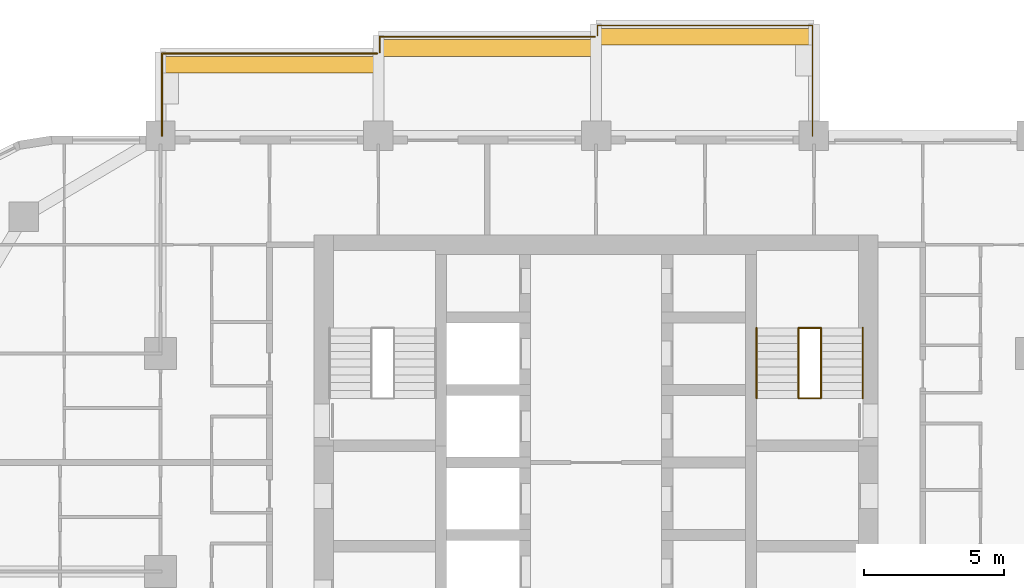
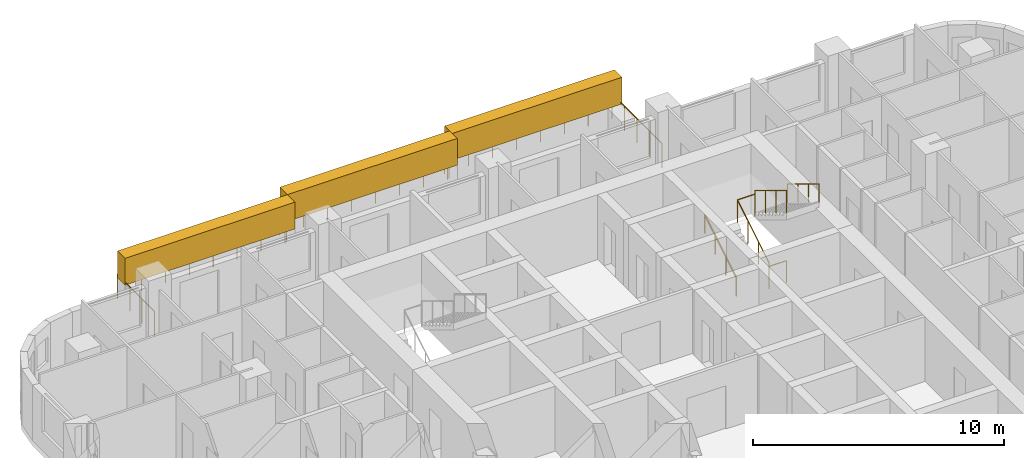
# One storey, part 17 of 17: 9 railings, 3 coverings, 1 element without a shape of its own.
"""IFC4 building model written with IfcOpenShell, lengths in metres."""

import ifcopenshell
import ifcopenshell.guid

model = None  # the IFC model being written
_history = None  # IfcOwnerHistory: only IFC2X3 demands one
_inside = {}  # id of a spatial element -> (the spatial element, [elements in it])
_under = {}  # id of a project, library or spatial element -> (it, [spatial elements below it])
_declared = {}  # id of a project -> (the project, [libraries it declares])
_typed = {}  # id of a type object -> (the type object, [elements of that type])
_made_of = {}  # id of a material, layer set ... -> (it, [elements and type objects made of it])


def new_model(schema):
    """Start an empty IFC model of exactly this schema.

    Asked for "IFC4X3", IfcOpenShell would pick the latest addendum, in which some entities
    have other attributes; the version numbers below select the first issue.
    IFC2X3 requires an IfcOwnerHistory on every rooted entity: one is made here for all.
    """
    global model, _history
    if schema == "IFC4X3":
        model = ifcopenshell.file(schema_version=(4, 3, 0, 0))
    else:
        model = ifcopenshell.file(schema=schema)
    _inside.clear()
    _under.clear()
    _declared.clear()
    _typed.clear()
    _made_of.clear()
    _history = None
    if model.schema == "IFC2X3":
        org = make("IfcOrganization", Name="unknown")
        user = make(
            "IfcPersonAndOrganization",
            ThePerson=make("IfcPerson", FamilyName="unknown"),
            TheOrganization=org,
        )
        app = make(
            "IfcApplication",
            ApplicationDeveloper=org,
            Version="unknown",
            ApplicationFullName="unknown",
            ApplicationIdentifier="unknown",
        )
        _history = make(
            "IfcOwnerHistory",
            OwningUser=user,
            OwningApplication=app,
            ChangeAction="ADDED",
            CreationDate=0,
        )
    return model


def make(cls, **values):
    """One entity of the class cls with the attributes given. An attribute that is None is left unset."""
    return model.create_entity(
        cls, **{name: value for name, value in values.items() if value is not None}
    )


def rooted(cls, **values):
    """An entity with a GlobalId (a new one), such as an element, a storey or a relation."""
    return make(cls, GlobalId=ifcopenshell.guid.new(), OwnerHistory=_history, **values)


def si_unit(unit_type, name, prefix=None):
    """IfcSIUnit, for example si_unit("LENGTHUNIT", "METRE", prefix="MILLI")."""
    return make("IfcSIUnit", UnitType=unit_type, Prefix=prefix, Name=name)


def assignment(units):
    """IfcUnitAssignment: the units of a project."""
    return None if units is None else make("IfcUnitAssignment", Units=units)


def point(xyz):
    """IfcCartesianPoint."""
    return None if xyz is None else make("IfcCartesianPoint", Coordinates=xyz)


def direction(xyz):
    """IfcDirection."""
    return None if xyz is None else make("IfcDirection", DirectionRatios=xyz)


def frame(location, z_axis=None, x_axis=None):
    """IfcAxis2Placement3D, a coordinate frame: its origin and axes. An axis left out is left unset."""
    return make(
        "IfcAxis2Placement3D",
        Location=point(location),
        Axis=direction(z_axis),
        RefDirection=direction(x_axis),
    )


def frame_2d(location, x_axis=None):
    """IfcAxis2Placement2D, a coordinate frame in the plane: its origin and x axis."""
    return make(
        "IfcAxis2Placement2D", Location=point(location), RefDirection=direction(x_axis)
    )


def origin():
    """The frame at (0, 0, 0) with its axes left unset."""
    return frame((0.0, 0.0, 0.0))


def origin_2d():
    """The frame at (0, 0) in the plane with its x axis left unset."""
    return frame_2d((0.0, 0.0))


def place(relative_to, where):
    """IfcLocalPlacement: puts the frame where relative to a parent placement (None: the world)."""
    return make(
        "IfcLocalPlacement", PlacementRelTo=relative_to, RelativePlacement=where
    )


def context(
    kind, dimensions, precision=None, world=None, true_north=None, identifier=None
):
    """IfcGeometricRepresentationContext, for example the 3D "Model" context."""
    return make(
        "IfcGeometricRepresentationContext",
        ContextIdentifier=identifier,
        ContextType=kind,
        CoordinateSpaceDimension=dimensions,
        Precision=precision,
        WorldCoordinateSystem=world,
        TrueNorth=true_north,
    )


def subcontext(parent, identifier, kind, view, scale=None):
    """IfcGeometricRepresentationSubContext, for example "Body" below "Model"."""
    return make(
        "IfcGeometricRepresentationSubContext",
        ContextIdentifier=identifier,
        ContextType=kind,
        ParentContext=parent,
        TargetScale=scale,
        TargetView=view,
    )


def project(units=None, contexts=None):
    """IfcProject with its units and contexts."""
    return rooted(
        "IfcProject",
        Name="project",
        RepresentationContexts=contexts,
        UnitsInContext=assignment(units),
    )


def spatial(cls, under=None, at=None, **own):
    """A site, building, storey or space (cls), placed at a placement, below another one or the project."""
    s = rooted(cls, ObjectPlacement=at, **own)
    if under is not None:
        _under.setdefault(under.id(), (under, []))[1].append(s)
    return s


def profile(cls, at=None, kind="AREA", **sizes):
    """A parametric profile (cls). Its sizes go by their IFC names, for example OverallWidth=200.0."""
    return make(cls, ProfileType=kind, Position=at, **sizes)


def rectangle(**sizes):
    """IfcRectangleProfileDef."""
    return profile("IfcRectangleProfileDef", **sizes)


def circle(**sizes):
    """IfcCircleProfileDef."""
    return profile("IfcCircleProfileDef", **sizes)


def extrude(swept, where, along, depth):
    """IfcExtrudedAreaSolid: the profile swept, set in the frame where, extruded along a direction by depth."""
    return make(
        "IfcExtrudedAreaSolid",
        SweptArea=swept,
        Position=where,
        ExtrudedDirection=direction(along),
        Depth=depth,
    )


def shape(context_of_items, identifier, shape_type, items):
    """IfcShapeRepresentation: the items that make up one representation, for example the "Body"."""
    return make(
        "IfcShapeRepresentation",
        ContextOfItems=context_of_items,
        RepresentationIdentifier=identifier,
        RepresentationType=shape_type,
        Items=items,
    )


def material(Name=None, Category=None):
    """IfcMaterial."""
    return make("IfcMaterial", Name=Name, Category=Category)


def layer(
    of_material, thickness, ventilated=None, Name=None, Category=None, Priority=None
):
    """IfcMaterialLayer: one layer of a wall or slab, of a material (None: an air gap)."""
    return make(
        "IfcMaterialLayer",
        Material=of_material,
        LayerThickness=thickness,
        IsVentilated=ventilated,
        Name=Name,
        Category=Category,
        Priority=Priority,
    )


def layer_set(layers, Name=None):
    """IfcMaterialLayerSet."""
    return make("IfcMaterialLayerSet", MaterialLayers=layers, LayerSetName=Name)


def made_of(thing, what):
    """Note that an element or type object is made of a material, layer set ...; save() writes the relation."""
    if what is not None:
        _made_of.setdefault(what.id(), (what, []))[1].append(thing)
    return thing


def type_object(cls, material=None, **own):
    """A type object (cls), such as IfcWallType, which elements share."""
    return made_of(rooted(cls, **own), material)


def element(
    cls,
    number,
    at=None,
    inside=None,
    cuts=None,
    type_object=None,
    material=None,
    context=None,
    identifier="Body",
    shape_type=None,
    held_by="IfcProductDefinitionShape",
    body=None,
    shapes=None,
    **own,
):
    """One element of the class cls, such as IfcWall. Its Tag is "e" and its number.

    at: its placement. inside: the storey or other place that contains it. cuts: it is an
    opening in that element (IfcRelVoidsElement). A single representation is given by context,
    identifier, shape_type and body (its items); several are given by shapes. held_by: the class
    of the entity that holds the representations. save() writes the other relations.
    """
    e = rooted(cls, Tag="e%d" % number, ObjectPlacement=at, **own)
    if body is not None:
        shapes = [shape(context, identifier, shape_type, body)]
    if shapes is not None:
        e.Representation = make(held_by, Representations=shapes)
    if inside is not None:
        _inside.setdefault(inside.id(), (inside, []))[1].append(e)
    if cuts is not None:
        rooted(
            "IfcRelVoidsElement", RelatingBuildingElement=cuts, RelatedOpeningElement=e
        )
    if type_object is not None:
        _typed.setdefault(type_object.id(), (type_object, []))[1].append(e)
    return made_of(e, material)


def aggregate(whole, parts):
    """IfcRelAggregates: a whole, such as a stair, and the parts it consists of."""
    return rooted("IfcRelAggregates", RelatingObject=whole, RelatedObjects=parts)


def save(model, path):
    """Write the relations noted so far, then the file.

    IfcRelAggregates (storeys below a building ...), IfcRelContainedInSpatialStructure (elements
    in a storey), IfcRelDefinesByType, IfcRelAssociatesMaterial and IfcRelDeclares: one each for
    every whole, place, type object, material and project.
    """
    for whole, parts in _under.values():
        aggregate(whole, parts)
    for where, things in _inside.values():
        rooted(
            "IfcRelContainedInSpatialStructure",
            RelatedElements=things,
            RelatingStructure=where,
        )
    for kind, things in _typed.values():
        rooted("IfcRelDefinesByType", RelatedObjects=things, RelatingType=kind)
    for what, things in _made_of.values():
        rooted("IfcRelAssociatesMaterial", RelatedObjects=things, RelatingMaterial=what)
    for by, libraries in _declared.values():
        rooted("IfcRelDeclares", RelatingContext=by, RelatedDefinitions=libraries)
    model.write(path)


model = new_model("IFC4")

# Units and contexts
model_context = context("Model", 3, precision=1e-05, world=origin(), true_north=direction((0.0, 1.0)))
body_context = subcontext(model_context, "Body", "Model", "MODEL_VIEW")
ifc_project = project(units=[si_unit("LENGTHUNIT", "METRE"), si_unit("AREAUNIT", "SQUARE_METRE"), si_unit("VOLUMEUNIT", "CUBIC_METRE"), si_unit("PLANEANGLEUNIT", "RADIAN"), si_unit("MASSUNIT", "GRAM", prefix="KILO")], contexts=[model_context])

# Site, building, storey
site_placement = place(None, origin())
site = spatial("IfcSite", under=ifc_project, at=site_placement, CompositionType="ELEMENT")
building_placement = place(site_placement, origin())
building = spatial("IfcBuilding", under=site, at=building_placement, Name="Ludao Terraces", CompositionType="ELEMENT")
storey_placement = place(building_placement, frame((0.0, 0.0, 54.60009765625)))
storey = spatial("IfcBuildingStorey", under=building, at=storey_placement, Name="L14", CompositionType="ELEMENT", Elevation=54.60009765625)

# Railings
ifc_material_1 = material(Name="Stainless steel 304", Category="steel")
railing_type_1 = type_object("IfcRailingType", Name="ENV Balcony glass guard 1200", PredefinedType="GUARDRAIL", material=ifc_material_1)
railing_1_placement = place(storey_placement, frame((69.449951171875, 88.39990234375, 0.0)))
element("IfcRailing", 1, at=railing_1_placement, inside=storey, type_object=railing_type_1, Name="Balcony guard L14 N1", PredefinedType="GUARDRAIL", context=body_context, shape_type="SweptSolid", body=[
    extrude(circle(Radius=0.02392578125, at=origin_2d()), frame((0.0, 0.0, 1.17578125), z_axis=(0.0, 1.0, 0.0), x_axis=(-1.0, 0.0, 0.0)), (0.0, 0.0, 1.0), 2.9501953125),
    extrude(circle(Radius=0.02392578125, at=origin_2d()), frame((0.0, 2.9501953125, 1.17578125), z_axis=(1.0, 0.0, 0.0), x_axis=(0.0, 1.0, 0.0)), (0.0, 0.0, 1.0), 7.699951171875),
    extrude(circle(Radius=0.02099609375, at=origin_2d()), origin(), (0.0, 0.0, 1.0), 1.15185546875),
    extrude(circle(Radius=0.02099609375, at=origin_2d()), frame((0.0, 0.9833984375, 0.0)), (0.0, 0.0, 1.0), 1.15185546875),
    extrude(circle(Radius=0.02099609375, at=origin_2d()), frame((0.0, 1.966796875, 0.0)), (0.0, 0.0, 1.0), 1.15185546875),
    extrude(circle(Radius=0.02099609375, at=origin_2d()), frame((0.0, 2.9501953125, 0.0)), (0.0, 0.0, 1.0), 1.15185546875),
    extrude(circle(Radius=0.02099609375, at=origin_2d()), frame((1.10009765625, 2.9501953125, 0.0)), (0.0, 0.0, 1.0), 1.15185546875),
    extrude(circle(Radius=0.02099609375, at=origin_2d()), frame((2.199951171875, 2.9501953125, 0.0)), (0.0, 0.0, 1.0), 1.15185546875),
    extrude(circle(Radius=0.02099609375, at=origin_2d()), frame((3.300048828125, 2.9501953125, 0.0)), (0.0, 0.0, 1.0), 1.15185546875),
    extrude(circle(Radius=0.02099609375, at=origin_2d()), frame((4.39990234375, 2.9501953125, 0.0)), (0.0, 0.0, 1.0), 1.15185546875),
    extrude(circle(Radius=0.02099609375, at=origin_2d()), frame((5.5, 2.9501953125, 0.0)), (0.0, 0.0, 1.0), 1.15185546875),
    extrude(circle(Radius=0.02099609375, at=origin_2d()), frame((6.599853515625, 2.9501953125, 0.0)), (0.0, 0.0, 1.0), 1.15185546875),
    extrude(circle(Radius=0.02099609375, at=origin_2d()), frame((7.699951171875, 2.9501953125, 0.0)), (0.0, 0.0, 1.0), 1.15185546875),
])
railing_2_placement = place(storey_placement, frame((77.25, 91.39990234375, 0.0)))
element("IfcRailing", 2, at=railing_2_placement, inside=storey, type_object=railing_type_1, Name="Balcony guard L14 N2", PredefinedType="GUARDRAIL", context=body_context, shape_type="SweptSolid", body=[
    extrude(circle(Radius=0.02392578125, at=origin_2d()), frame((0.0, 0.0, 1.17578125), z_axis=(0.0, 1.0, 0.0), x_axis=(-1.0, 0.0, 0.0)), (0.0, 0.0, 1.0), 0.550048828125),
    extrude(circle(Radius=0.02392578125, at=origin_2d()), frame((0.0, 0.550048828125, 1.17578125), z_axis=(1.0, 0.0, 0.0), x_axis=(0.0, 1.0, 0.0)), (0.0, 0.0, 1.0), 7.699951171875),
    extrude(circle(Radius=0.02099609375, at=origin_2d()), origin(), (0.0, 0.0, 1.0), 1.15185546875),
    extrude(circle(Radius=0.02099609375, at=origin_2d()), frame((0.0, 0.550048828125, 0.0)), (0.0, 0.0, 1.0), 1.15185546875),
    extrude(circle(Radius=0.02099609375, at=origin_2d()), frame((1.10009765625, 0.550048828125, 0.0)), (0.0, 0.0, 1.0), 1.15185546875),
    extrude(circle(Radius=0.02099609375, at=origin_2d()), frame((2.199951171875, 0.550048828125, 0.0)), (0.0, 0.0, 1.0), 1.15185546875),
    extrude(circle(Radius=0.02099609375, at=origin_2d()), frame((3.300048828125, 0.550048828125, 0.0)), (0.0, 0.0, 1.0), 1.15185546875),
    extrude(circle(Radius=0.02099609375, at=origin_2d()), frame((4.39990234375, 0.550048828125, 0.0)), (0.0, 0.0, 1.0), 1.15185546875),
    extrude(circle(Radius=0.02099609375, at=origin_2d()), frame((5.5, 0.550048828125, 0.0)), (0.0, 0.0, 1.0), 1.15185546875),
    extrude(circle(Radius=0.02099609375, at=origin_2d()), frame((6.599853515625, 0.550048828125, 0.0)), (0.0, 0.0, 1.0), 1.15185546875),
    extrude(circle(Radius=0.02099609375, at=origin_2d()), frame((7.699951171875, 0.550048828125, 0.0)), (0.0, 0.0, 1.0), 1.15185546875),
])
railing_3_placement = place(storey_placement, frame((85.050048828125, 92.0, 0.0)))
element("IfcRailing", 3, at=railing_3_placement, inside=storey, type_object=railing_type_1, Name="Balcony guard L14 N3", PredefinedType="GUARDRAIL", context=body_context, shape_type="SweptSolid", body=[
    extrude(circle(Radius=0.02392578125, at=origin_2d()), frame((0.0, 0.0, 1.17578125), z_axis=(0.0, 1.0, 0.0), x_axis=(-1.0, 0.0, 0.0)), (0.0, 0.0, 1.0), 0.35009765625),
    extrude(circle(Radius=0.02392578125, at=origin_2d()), frame((0.0, 0.35009765625, 1.17578125), z_axis=(1.0, 0.0, 0.0), x_axis=(0.0, 1.0, 0.0)), (0.0, 0.0, 1.0), 7.699951171875),
    extrude(circle(Radius=0.02392578125, at=origin_2d()), frame((7.699951171875, 0.35009765625, 1.17578125), z_axis=(0.0, -1.0, 0.0), x_axis=(1.0, 0.0, 0.0)), (0.0, 0.0, 1.0), 3.9501953125),
    extrude(circle(Radius=0.02099609375, at=origin_2d()), origin(), (0.0, 0.0, 1.0), 1.15185546875),
    extrude(circle(Radius=0.02099609375, at=origin_2d()), frame((0.0, 0.35009765625, 0.0)), (0.0, 0.0, 1.0), 1.15185546875),
    extrude(circle(Radius=0.02099609375, at=origin_2d()), frame((1.10009765625, 0.35009765625, 0.0)), (0.0, 0.0, 1.0), 1.15185546875),
    extrude(circle(Radius=0.02099609375, at=origin_2d()), frame((2.199951171875, 0.35009765625, 0.0)), (0.0, 0.0, 1.0), 1.15185546875),
    extrude(circle(Radius=0.02099609375, at=origin_2d()), frame((3.300048828125, 0.35009765625, 0.0)), (0.0, 0.0, 1.0), 1.15185546875),
    extrude(circle(Radius=0.02099609375, at=origin_2d()), frame((4.39990234375, 0.35009765625, 0.0)), (0.0, 0.0, 1.0), 1.15185546875),
    extrude(circle(Radius=0.02099609375, at=origin_2d()), frame((5.5, 0.35009765625, 0.0)), (0.0, 0.0, 1.0), 1.15185546875),
    extrude(circle(Radius=0.02099609375, at=origin_2d()), frame((6.599853515625, 0.35009765625, 0.0)), (0.0, 0.0, 1.0), 1.15185546875),
    extrude(circle(Radius=0.02099609375, at=origin_2d()), frame((7.699951171875, 0.35009765625, 0.0)), (0.0, 0.0, 1.0), 1.15185546875),
    extrude(circle(Radius=0.02099609375, at=origin_2d()), frame((7.699951171875, -0.637451171875, 0.0)), (0.0, 0.0, 1.0), 1.15185546875),
    extrude(circle(Radius=0.02099609375, at=origin_2d()), frame((7.699951171875, -1.625, 0.0)), (0.0, 0.0, 1.0), 1.15185546875),
    extrude(circle(Radius=0.02099609375, at=origin_2d()), frame((7.699951171875, -2.612548828125, 0.0)), (0.0, 0.0, 1.0), 1.15185546875),
    extrude(circle(Radius=0.02099609375, at=origin_2d()), frame((7.699951171875, -3.60009765625, 0.0)), (0.0, 0.0, 1.0), 1.15185546875),
])

# Coverings
ifc_material_2 = material(Name="Planting")
ifc_layer = layer(ifc_material_2, 0.60009765625)
ifc_layer_set = layer_set([ifc_layer], Name="ENV Planting hedge 600x1300")
covering_type = type_object("IfcCoveringType", Name="ENV Planting hedge 600x1300", PredefinedType="USERDEFINED", material=ifc_layer_set)
for number, where, z_axis, x_axis, name in (
    (4, (73.300048828125, 90.949951171875, 1.10009765625), (0.0, 0.0, 1.0), (1.0, 0.0, 0.0), "Planting hedge L14-N1"),
    (5, (81.10009765625, 91.550048828125, 1.10009765625), (0.0, 0.0, 1.0), (1.0, 0.0, 0.0), "Planting hedge L14-N2"),
    (6, (88.89990234375, 91.949951171875, 1.10009765625), (0.0, 0.0, 1.0), (1.0, 0.0, 0.0), "Planting hedge L14-N3"),
):
    element("IfcCovering", number, at=place(storey_placement, frame(where, z_axis=z_axis, x_axis=x_axis)), inside=storey, type_object=covering_type, Name=name, ObjectType="PLANTING", PredefinedType="USERDEFINED", context=body_context, shape_type="SweptSolid", body=[
        extrude(rectangle(XDim=7.800048828125, YDim=0.60009765625, at=origin_2d()), origin(), (0.0, 0.0, 1.0), 1.300048828125),
    ])

# Stair, railings
ifc_material_3 = material(Name="Concrete C40", Category="concrete")
stair_type = type_object("IfcStairType", Name="INT Stair", PredefinedType="HALF_TURN_STAIR", material=ifc_material_3)
stair_placement = place(storey_placement, origin())
stair = element("IfcStair", 7, at=stair_placement, inside=storey, type_object=stair_type, Name="EXIT STAIR 2", PredefinedType="HALF_TURN_STAIR")
railing_type_2 = type_object("IfcRailingType", Name="INT Stair guard 1100", PredefinedType="GUARDRAIL", material=ifc_material_1)
railing_4_placement = place(storey_placement, frame((92.25, 79.0, 0.169921875)))
railing_4 = element("IfcRailing", 8, at=railing_4_placement, type_object=railing_type_2, Name="ST-L14-S2-R1G", PredefinedType="GUARDRAIL", context=body_context, shape_type="SweptSolid", body=[
    extrude(circle(Radius=0.02392578125, at=origin_2d()), frame((0.0, 0.0, 1.076171875), z_axis=(0.0, 0.85478489116, 0.518982456201), x_axis=(-1.0, 0.0, 0.0)), (0.0, 0.0, 1.0), 2.9482421875),
    extrude(circle(Radius=0.02099609375, at=origin_2d()), origin(), (0.0, 0.0, 1.0), 1.052001953125),
    extrude(circle(Radius=0.02099609375, at=origin_2d()), frame((0.0, 0.840087890625, 0.510009765625)), (0.0, 0.0, 1.0), 1.052001953125),
    extrude(circle(Radius=0.02099609375, at=origin_2d()), frame((0.0, 1.679931640625, 1.02001953125)), (0.0, 0.0, 1.0), 1.052001953125),
    extrude(circle(Radius=0.02099609375, at=origin_2d()), frame((0.0, 2.52001953125, 1.530029296875)), (0.0, 0.0, 1.0), 1.052001953125),
])
railing_5_placement = place(storey_placement, frame((93.050048828125, 81.52001953125, 1.869873046875)))
railing_5 = element("IfcRailing", 9, at=railing_5_placement, type_object=railing_type_2, Name="ST-L14-S2-R2G", PredefinedType="GUARDRAIL", context=body_context, shape_type="SweptSolid", body=[
    extrude(circle(Radius=0.02392578125, at=origin_2d()), frame((0.0, 0.0, 1.076171875), z_axis=(0.0, -0.85478489116, 0.518982456201), x_axis=(1.0, 0.0, 0.0)), (0.0, 0.0, 1.0), 2.9482421875),
    extrude(circle(Radius=0.02099609375, at=origin_2d()), origin(), (0.0, 0.0, 1.0), 1.052001953125),
    extrude(circle(Radius=0.02099609375, at=origin_2d()), frame((0.0, -0.840087890625, 0.510009765625)), (0.0, 0.0, 1.0), 1.052001953125),
    extrude(circle(Radius=0.02099609375, at=origin_2d()), frame((0.0, -1.679931640625, 1.02001953125)), (0.0, 0.0, 1.0), 1.052001953125),
    extrude(circle(Radius=0.02099609375, at=origin_2d()), frame((0.0, -2.52001953125, 1.530029296875)), (0.0, 0.0, 1.0), 1.052001953125),
])
railing_6_placement = place(storey_placement, frame((92.25, 81.52001953125, 1.699951171875)))
railing_6 = element("IfcRailing", 10, at=railing_6_placement, type_object=railing_type_2, Name="ST-L14-S2-E1G", PredefinedType="GUARDRAIL", context=body_context, shape_type="SweptSolid", body=[
    extrude(circle(Radius=0.02392578125, at=origin_2d()), frame((0.0, 0.0, 1.076171875), z_axis=(1.0, 0.0, 0.0), x_axis=(0.0, 1.0, 0.0)), (0.0, 0.0, 1.0), 0.800048828125),
    extrude(circle(Radius=0.02099609375, at=origin_2d()), origin(), (0.0, 0.0, 1.0), 1.052001953125),
    extrude(circle(Radius=0.02099609375, at=origin_2d()), frame((0.800048828125, 0.0, 0.0)), (0.0, 0.0, 1.0), 1.052001953125),
])
railing_7_placement = place(storey_placement, frame((92.25, 79.0, 0.0)))
railing_7 = element("IfcRailing", 11, at=railing_7_placement, type_object=railing_type_2, Name="ST-L14-S2-E2G", PredefinedType="GUARDRAIL", context=body_context, shape_type="SweptSolid", body=[
    extrude(circle(Radius=0.02392578125, at=origin_2d()), frame((0.0, 0.0, 1.076171875), z_axis=(1.0, 0.0, 0.0), x_axis=(0.0, 1.0, 0.0)), (0.0, 0.0, 1.0), 0.800048828125),
    extrude(circle(Radius=0.02099609375, at=origin_2d()), origin(), (0.0, 0.0, 1.0), 1.052001953125),
    extrude(circle(Radius=0.02099609375, at=origin_2d()), frame((0.800048828125, 0.0, 0.0)), (0.0, 0.0, 1.0), 1.052001953125),
])
railing_type_3 = type_object("IfcRailingType", Name="INT Stair handrail 900", PredefinedType="HANDRAIL", material=ifc_material_1)
railing_8_placement = place(storey_placement, frame((90.75, 79.0, 0.169921875)))
railing_8 = element("IfcRailing", 12, at=railing_8_placement, type_object=railing_type_3, Name="ST-L14-S2-R1H", PredefinedType="HANDRAIL", context=body_context, shape_type="SweptSolid", body=[
    extrude(circle(Radius=0.02392578125, at=origin_2d()), frame((0.0, 0.0, 0.8759765625), z_axis=(0.0, 0.85478489116, 0.518982456201), x_axis=(-1.0, 0.0, 0.0)), (0.0, 0.0, 1.0), 2.9482421875),
    extrude(circle(Radius=0.02099609375, at=origin_2d()), origin(), (0.0, 0.0, 1.0), 0.851806640625),
    extrude(circle(Radius=0.02099609375, at=origin_2d()), frame((0.0, 0.840087890625, 0.510009765625)), (0.0, 0.0, 1.0), 0.851806640625),
    extrude(circle(Radius=0.02099609375, at=origin_2d()), frame((0.0, 1.679931640625, 1.02001953125)), (0.0, 0.0, 1.0), 0.851806640625),
    extrude(circle(Radius=0.02099609375, at=origin_2d()), frame((0.0, 2.52001953125, 1.530029296875)), (0.0, 0.0, 1.0), 0.851806640625),
])
railing_9_placement = place(storey_placement, frame((94.550048828125, 81.52001953125, 1.869873046875)))
railing_9 = element("IfcRailing", 13, at=railing_9_placement, type_object=railing_type_3, Name="ST-L14-S2-R2H", PredefinedType="HANDRAIL", context=body_context, shape_type="SweptSolid", body=[
    extrude(circle(Radius=0.02392578125, at=origin_2d()), frame((0.0, 0.0, 0.8759765625), z_axis=(0.0, -0.85478489116, 0.518982456201), x_axis=(1.0, 0.0, 0.0)), (0.0, 0.0, 1.0), 2.9482421875),
    extrude(circle(Radius=0.02099609375, at=origin_2d()), origin(), (0.0, 0.0, 1.0), 0.851806640625),
    extrude(circle(Radius=0.02099609375, at=origin_2d()), frame((0.0, -0.840087890625, 0.510009765625)), (0.0, 0.0, 1.0), 0.851806640625),
    extrude(circle(Radius=0.02099609375, at=origin_2d()), frame((0.0, -1.679931640625, 1.02001953125)), (0.0, 0.0, 1.0), 0.851806640625),
    extrude(circle(Radius=0.02099609375, at=origin_2d()), frame((0.0, -2.52001953125, 1.530029296875)), (0.0, 0.0, 1.0), 0.851806640625),
])
aggregate(stair, [railing_4, railing_8, railing_5, railing_9, railing_6, railing_7])

save(model, "model.ifc")
